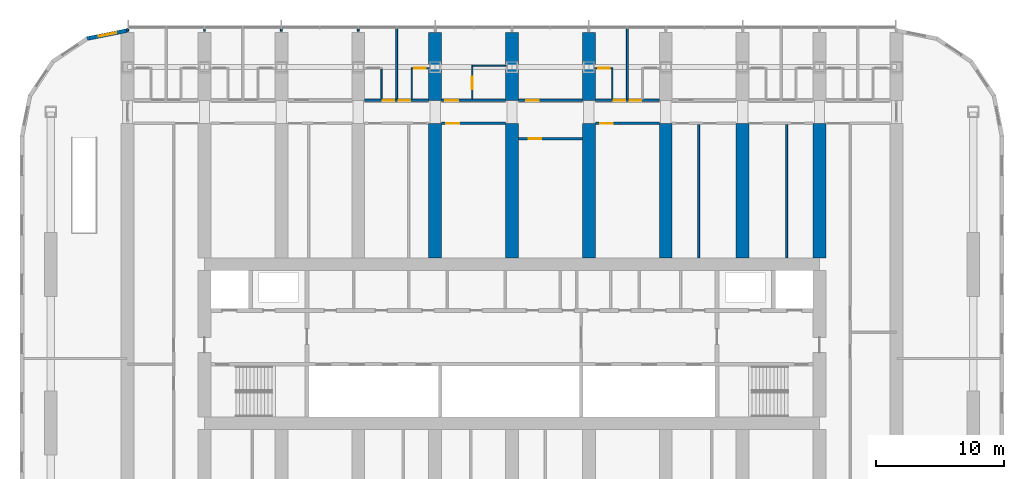
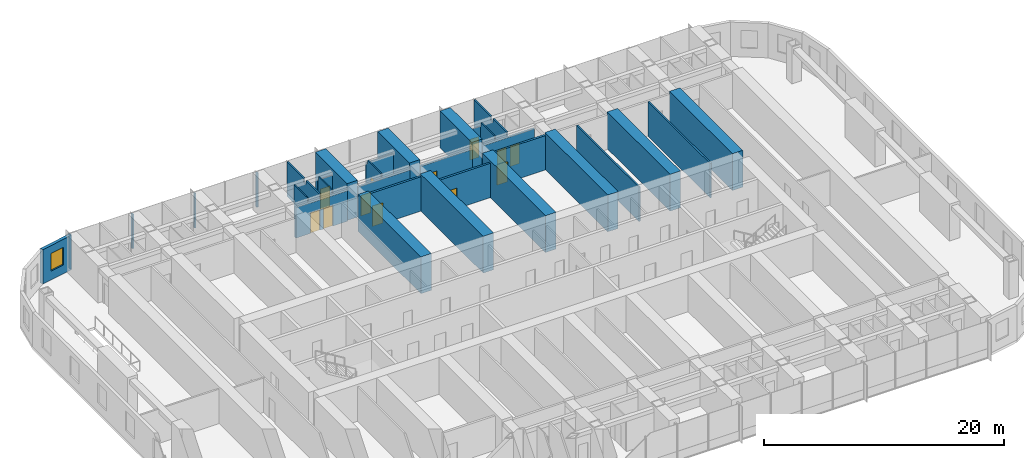
# One storey, part 16 of 24: 32 walls, 12 doors, 1 window, 13 openings.
"""IFC4 building model written with IfcOpenShell, lengths in metres."""

from ifc_helpers import new_model, si_unit, direction, frame, frame_2d, origin, place, context, subcontext, project, spatial, polyline, rectangle, outline, extrude, material, layer, layer_set, type_object, element, fill, save


model = new_model("IFC4")

# Units and contexts
model_context = context("Model", 3, precision=1e-05, world=origin(), true_north=direction((0.0, 1.0)))
body_context = subcontext(model_context, "Body", "Model", "MODEL_VIEW")
ifc_project = project(units=[si_unit("LENGTHUNIT", "METRE"), si_unit("AREAUNIT", "SQUARE_METRE"), si_unit("VOLUMEUNIT", "CUBIC_METRE"), si_unit("PLANEANGLEUNIT", "RADIAN"), si_unit("MASSUNIT", "GRAM", prefix="KILO")], contexts=[model_context])

# Site, building, storey
site_placement = place(None, origin())
site = spatial("IfcSite", under=ifc_project, at=site_placement, CompositionType="ELEMENT")
building_placement = place(site_placement, origin())
building = spatial("IfcBuilding", under=site, at=building_placement, Name="Orbita Commons", CompositionType="ELEMENT")
storey_placement = place(building_placement, frame((0.0, 0.0, 27.699951171875)))
storey = spatial("IfcBuildingStorey", under=building, at=storey_placement, Name="L06", CompositionType="ELEMENT", Elevation=27.699951171875)

# Wall, openings, doors
ifc_material_1 = material(Name="Concrete blockwork", Category="masonry")
ifc_layer_1 = layer(ifc_material_1, 0.199951171875)
ifc_layer_set_1 = layer_set([ifc_layer_1], Name="Concrete blockwork")
wall_type_1 = type_object("IfcWallType", Name="Corridor wall 200 blockwork", PredefinedType="SOLIDWALL", material=ifc_layer_set_1)
wall_1_placement = place(storey_placement, frame((30.5, 51.0, 0.0), z_axis=(0.0, 0.0, 1.0), x_axis=(1.0, 0.0, 0.0)))
wall_1 = element("IfcWall", 1, at=wall_1_placement, inside=storey, type_object=wall_type_1, Name="Corridor wall 200 blockwork L06", PredefinedType="SOLIDWALL", context=body_context, shape_type="SweptSolid", body=[
    extrude(outline(polyline([(0.0, 0.0), (5.0, 0.0), (5.0, 3.10009765625), (0.0, 3.10009765625), (0.0, 0.0)])), frame((0.0, 0.10009765625, 0.0), z_axis=(0.0, -1.0, 0.0), x_axis=(1.0, 0.0, 0.0)), (0.0, 0.0, 1.0), 0.199951171875),
])
opening_1_placement = place(wall_1_placement, frame((1.425048828125, 0.0, 0.0)))
opening_1 = element("IfcOpeningElement", 2, at=opening_1_placement, cuts=wall_1, Name="Opening D11", PredefinedType="OPENING", context=body_context, shape_type="SweptSolid", body=[
    extrude(rectangle(XDim=0.89990234375, YDim=2.10009765625, at=frame_2d((0.449951171875, 1.050048828125))), frame((0.0, 0.10986328125, 0.0), z_axis=(0.0, -1.0, 0.0), x_axis=(1.0, 0.0, 0.0)), (0.0, 0.0, 1.0), 0.219970703125),
])
opening_2_placement = place(wall_1_placement, frame((2.675048828125, 0.0, 0.0)))
opening_2 = element("IfcOpeningElement", 3, at=opening_2_placement, cuts=wall_1, Name="Opening D11", PredefinedType="OPENING", context=body_context, shape_type="SweptSolid", body=[
    extrude(rectangle(XDim=0.89990234375, YDim=2.10009765625, at=frame_2d((0.449951171875, 1.050048828125))), frame((0.0, 0.10986328125, 0.0), z_axis=(0.0, -1.0, 0.0), x_axis=(1.0, 0.0, 0.0)), (0.0, 0.0, 1.0), 0.219970703125),
])
ifc_material_2 = material(Name="Steel-faced fire door leaf", Category="steel")
door_type_1 = type_object("IfcDoorType", Name="Corridor door 20 min 900x2100", OperationType="SINGLE_SWING_LEFT", PredefinedType="DOOR", material=ifc_material_2)
door_1_placement = place(opening_1_placement, origin())
door_1 = element("IfcDoor", 4, at=door_1_placement, inside=storey, type_object=door_type_1, Name="House bedroom L06-N06 door", OperationType="SINGLE_SWING_LEFT", OverallHeight=2.10009765625, OverallWidth=0.89990234375, PredefinedType="DOOR", context=body_context, shape_type="SweptSolid", body=[
    extrude(rectangle(XDim=0.89990234375, YDim=2.10009765625, at=frame_2d((0.449951171875, 1.050048828125))), frame((0.0, 0.02490234375, 0.0), z_axis=(0.0, -1.0, 0.0), x_axis=(1.0, 0.0, 0.0)), (0.0, 0.0, 1.0), 0.050048828125),
])
fill(opening_1, door_1)
door_2_placement = place(opening_2_placement, origin())
door_2 = element("IfcDoor", 5, at=door_2_placement, inside=storey, type_object=door_type_1, Name="House bedroom L06-N07 door", OperationType="SINGLE_SWING_LEFT", OverallHeight=2.10009765625, OverallWidth=0.89990234375, PredefinedType="DOOR", context=body_context, shape_type="SweptSolid", body=[
    extrude(rectangle(XDim=0.89990234375, YDim=2.10009765625, at=frame_2d((0.449951171875, 1.050048828125))), frame((0.0, 0.02490234375, 0.0), z_axis=(0.0, -1.0, 0.0), x_axis=(1.0, 0.0, 0.0)), (0.0, 0.0, 1.0), 0.050048828125),
])
fill(opening_2, door_2)

# Wall, opening, door
wall_2_placement = place(storey_placement, frame((36.5, 51.0, 0.0), z_axis=(0.0, 0.0, 1.0), x_axis=(1.0, 0.0, 0.0)))
wall_2 = element("IfcWall", 6, at=wall_2_placement, inside=storey, type_object=wall_type_1, Name="Corridor wall 200 blockwork L06", PredefinedType="SOLIDWALL", context=body_context, shape_type="SweptSolid", body=[
    extrude(outline(polyline([(0.0, 0.0), (5.0, 0.0), (5.0, 3.10009765625), (0.0, 3.10009765625), (0.0, 0.0)])), frame((0.0, 0.10009765625, 0.0), z_axis=(0.0, -1.0, 0.0), x_axis=(1.0, 0.0, 0.0)), (0.0, 0.0, 1.0), 0.199951171875),
])
opening_3_placement = place(wall_2_placement, frame((0.300048828125, 0.0, 0.0)))
opening_3 = element("IfcOpeningElement", 7, at=opening_3_placement, cuts=wall_2, Name="Opening D06", PredefinedType="OPENING", context=body_context, shape_type="SweptSolid", body=[
    extrude(rectangle(XDim=1.0, YDim=2.10009765625, at=frame_2d((0.5, 1.050048828125))), frame((0.0, 0.10986328125, 0.0), z_axis=(0.0, -1.0, 0.0), x_axis=(1.0, 0.0, 0.0)), (0.0, 0.0, 1.0), 0.219970703125),
])
ifc_material_3 = material(Name="Steel-faced fire door leaf", Category="steel")
door_type_2 = type_object("IfcDoorType", Name="Corridor door 20 min 1000x2100", OperationType="SINGLE_SWING_LEFT", PredefinedType="DOOR", material=ifc_material_3)
door_3_placement = place(opening_3_placement, origin())
door_3 = element("IfcDoor", 8, at=door_3_placement, inside=storey, type_object=door_type_2, Name="Accessible bedroom L06-N08 door", OperationType="SINGLE_SWING_LEFT", OverallHeight=2.10009765625, OverallWidth=1.0, PredefinedType="DOOR", context=body_context, shape_type="SweptSolid", body=[
    extrude(rectangle(XDim=1.0, YDim=2.10009765625, at=frame_2d((0.5, 1.050048828125))), frame((0.0, 0.02490234375, 0.0), z_axis=(0.0, -1.0, 0.0), x_axis=(1.0, 0.0, 0.0)), (0.0, 0.0, 1.0), 0.050048828125),
])
fill(opening_3, door_3)

wall_3_placement = place(storey_placement, frame((42.5, 51.0, 0.0), z_axis=(0.0, 0.0, 1.0), x_axis=(1.0, 0.0, 0.0)))
wall_3 = element("IfcWall", 9, at=wall_3_placement, inside=storey, type_object=wall_type_1, Name="Corridor wall 200 blockwork L06", PredefinedType="SOLIDWALL", context=body_context, shape_type="SweptSolid", body=[
    extrude(outline(polyline([(0.0, 0.0), (5.0, 0.0), (5.0, 3.10009765625), (0.0, 3.10009765625), (0.0, 0.0)])), frame((0.0, 0.10009765625, 0.0), z_axis=(0.0, -1.0, 0.0), x_axis=(1.0, 0.0, 0.0)), (0.0, 0.0, 1.0), 0.199951171875),
])
opening_4_placement = place(wall_3_placement, frame((0.60009765625, 0.0, 0.0)))
opening_4 = element("IfcOpeningElement", 10, at=opening_4_placement, cuts=wall_3, Name="Opening D06", PredefinedType="OPENING", context=body_context, shape_type="SweptSolid", body=[
    extrude(rectangle(XDim=1.0, YDim=2.10009765625, at=frame_2d((0.5, 1.050048828125))), frame((0.0, 0.10986328125, 0.0), z_axis=(0.0, -1.0, 0.0), x_axis=(1.0, 0.0, 0.0)), (0.0, 0.0, 1.0), 0.219970703125),
])
door_4_placement = place(opening_4_placement, origin())
door_4 = element("IfcDoor", 11, at=door_4_placement, inside=storey, type_object=door_type_2, Name="House kitchen-diner L06-N10 door", OperationType="SINGLE_SWING_LEFT", OverallHeight=2.10009765625, OverallWidth=1.0, PredefinedType="DOOR", context=body_context, shape_type="SweptSolid", body=[
    extrude(rectangle(XDim=1.0, YDim=2.10009765625, at=frame_2d((0.5, 1.050048828125))), frame((0.0, 0.02490234375, 0.0), z_axis=(0.0, -1.0, 0.0), x_axis=(1.0, 0.0, 0.0)), (0.0, 0.0, 1.0), 0.050048828125),
])
fill(opening_4, door_4)

# Wall, openings, doors
wall_4_placement = place(storey_placement, frame((48.5, 51.0, 0.0), z_axis=(0.0, 0.0, 1.0), x_axis=(1.0, 0.0, 0.0)))
wall_4 = element("IfcWall", 12, at=wall_4_placement, inside=storey, type_object=wall_type_1, Name="Corridor wall 200 blockwork L06", PredefinedType="SOLIDWALL", context=body_context, shape_type="SweptSolid", body=[
    extrude(outline(polyline([(0.0, 0.0), (5.0, 0.0), (5.0, 3.10009765625), (0.0, 3.10009765625), (0.0, 0.0)])), frame((0.0, 0.10009765625, 0.0), z_axis=(0.0, -1.0, 0.0), x_axis=(1.0, 0.0, 0.0)), (0.0, 0.0, 1.0), 0.199951171875),
])
opening_5_placement = place(wall_4_placement, frame((1.425048828125, 0.0, 0.0)))
opening_5 = element("IfcOpeningElement", 13, at=opening_5_placement, cuts=wall_4, Name="Opening D11", PredefinedType="OPENING", context=body_context, shape_type="SweptSolid", body=[
    extrude(rectangle(XDim=0.89990234375, YDim=2.10009765625, at=frame_2d((0.449951171875, 1.050048828125))), frame((0.0, 0.10986328125, 0.0), z_axis=(0.0, -1.0, 0.0), x_axis=(1.0, 0.0, 0.0)), (0.0, 0.0, 1.0), 0.219970703125),
])
opening_6_placement = place(wall_4_placement, frame((2.675048828125, 0.0, 0.0)))
opening_6 = element("IfcOpeningElement", 14, at=opening_6_placement, cuts=wall_4, Name="Opening D11", PredefinedType="OPENING", context=body_context, shape_type="SweptSolid", body=[
    extrude(rectangle(XDim=0.89990234375, YDim=2.10009765625, at=frame_2d((0.449951171875, 1.050048828125))), frame((0.0, 0.10986328125, 0.0), z_axis=(0.0, -1.0, 0.0), x_axis=(1.0, 0.0, 0.0)), (0.0, 0.0, 1.0), 0.219970703125),
])
door_5_placement = place(opening_5_placement, origin())
door_5 = element("IfcDoor", 15, at=door_5_placement, inside=storey, type_object=door_type_1, Name="House bedroom L06-N12 door", OperationType="SINGLE_SWING_LEFT", OverallHeight=2.10009765625, OverallWidth=0.89990234375, PredefinedType="DOOR", context=body_context, shape_type="SweptSolid", body=[
    extrude(rectangle(XDim=0.89990234375, YDim=2.10009765625, at=frame_2d((0.449951171875, 1.050048828125))), frame((0.0, 0.02490234375, 0.0), z_axis=(0.0, -1.0, 0.0), x_axis=(1.0, 0.0, 0.0)), (0.0, 0.0, 1.0), 0.050048828125),
])
fill(opening_5, door_5)
door_6_placement = place(opening_6_placement, origin())
door_6 = element("IfcDoor", 16, at=door_6_placement, inside=storey, type_object=door_type_1, Name="House bedroom L06-N13 door", OperationType="SINGLE_SWING_LEFT", OverallHeight=2.10009765625, OverallWidth=0.89990234375, PredefinedType="DOOR", context=body_context, shape_type="SweptSolid", body=[
    extrude(rectangle(XDim=0.89990234375, YDim=2.10009765625, at=frame_2d((0.449951171875, 1.050048828125))), frame((0.0, 0.02490234375, 0.0), z_axis=(0.0, -1.0, 0.0), x_axis=(1.0, 0.0, 0.0)), (0.0, 0.0, 1.0), 0.050048828125),
])
fill(opening_6, door_6)

# Wall, opening, door
ifc_material_4 = material(Name="Hollow concrete block 200", Category="concrete")
ifc_layer_2 = layer(ifc_material_4, 0.199951171875)
ifc_layer_set_2 = layer_set([ifc_layer_2], Name="Hollow concrete block 200")
wall_type_2 = type_object("IfcWallType", Name="Corridor wall 200 hollow concrete block", PredefinedType="SOLIDWALL", material=ifc_layer_set_2)
wall_5_placement = place(storey_placement, frame((36.5, 49.199951171875, 0.0), z_axis=(0.0, 0.0, 1.0), x_axis=(1.0, 0.0, 0.0)))
wall_5 = element("IfcWall", 17, at=wall_5_placement, inside=storey, type_object=wall_type_2, Name="Corridor wall 200 hollow concrete block L06", PredefinedType="SOLIDWALL", context=body_context, shape_type="SweptSolid", body=[
    extrude(rectangle(XDim=5.0, YDim=0.199951171875, at=frame_2d((2.5, 0.0))), origin(), (0.0, 0.0, 1.0), 3.5),
])
opening_7_placement = place(wall_5_placement, frame((0.375, 0.0, 0.0)))
opening_7 = element("IfcOpeningElement", 18, at=opening_7_placement, cuts=wall_5, Name="Opening D06", PredefinedType="OPENING", context=body_context, shape_type="SweptSolid", body=[
    extrude(rectangle(XDim=1.0, YDim=2.10009765625, at=frame_2d((0.5, 1.050048828125))), frame((0.0, 0.10986328125, 0.0), z_axis=(0.0, -1.0, 0.0), x_axis=(1.0, 0.0, 0.0)), (0.0, 0.0, 1.0), 0.219970703125),
])
door_7_placement = place(opening_7_placement, origin())
door_7 = element("IfcDoor", 19, at=door_7_placement, inside=storey, type_object=door_type_2, Name="Refuse and recycling room L06-BDN36 door", OperationType="SINGLE_SWING_LEFT", OverallHeight=2.10009765625, OverallWidth=1.0, PredefinedType="DOOR", context=body_context, shape_type="SweptSolid", body=[
    extrude(rectangle(XDim=1.0, YDim=2.10009765625, at=frame_2d((0.5, 1.050048828125))), frame((0.0, 0.02490234375, 0.0), z_axis=(0.0, -1.0, 0.0), x_axis=(1.0, 0.0, 0.0)), (0.0, 0.0, 1.0), 0.050048828125),
])
fill(opening_7, door_7)

wall_6_placement = place(storey_placement, frame((48.5, 49.199951171875, 0.0), z_axis=(0.0, 0.0, 1.0), x_axis=(1.0, 0.0, 0.0)))
wall_6 = element("IfcWall", 20, at=wall_6_placement, inside=storey, type_object=wall_type_2, Name="Corridor wall 200 hollow concrete block L06", PredefinedType="SOLIDWALL", context=body_context, shape_type="SweptSolid", body=[
    extrude(rectangle(XDim=5.0, YDim=0.199951171875, at=frame_2d((2.5, 0.0))), origin(), (0.0, 0.0, 1.0), 3.5),
])
opening_8_placement = place(wall_6_placement, frame((0.375, 0.0, 0.0)))
opening_8 = element("IfcOpeningElement", 21, at=opening_8_placement, cuts=wall_6, Name="Opening D06", PredefinedType="OPENING", context=body_context, shape_type="SweptSolid", body=[
    extrude(rectangle(XDim=1.0, YDim=2.10009765625, at=frame_2d((0.5, 1.050048828125))), frame((0.0, 0.10986328125, 0.0), z_axis=(0.0, -1.0, 0.0), x_axis=(1.0, 0.0, 0.0)), (0.0, 0.0, 1.0), 0.219970703125),
])
door_8_placement = place(opening_8_placement, origin())
door_8 = element("IfcDoor", 22, at=door_8_placement, inside=storey, type_object=door_type_2, Name="Store L06-BDN48 door", OperationType="SINGLE_SWING_LEFT", OverallHeight=2.10009765625, OverallWidth=1.0, PredefinedType="DOOR", context=body_context, shape_type="SweptSolid", body=[
    extrude(rectangle(XDim=1.0, YDim=2.10009765625, at=frame_2d((0.5, 1.050048828125))), frame((0.0, 0.02490234375, 0.0), z_axis=(0.0, -1.0, 0.0), x_axis=(1.0, 0.0, 0.0)), (0.0, 0.0, 1.0), 0.050048828125),
])
fill(opening_8, door_8)

wall_7_placement = place(storey_placement, frame((42.5, 48.0, 0.0), z_axis=(0.0, 0.0, 1.0), x_axis=(1.0, 0.0, 0.0)))
wall_7 = element("IfcWall", 23, at=wall_7_placement, inside=storey, type_object=wall_type_2, Name="Corridor wall 200 hollow concrete block L06", PredefinedType="SOLIDWALL", context=body_context, shape_type="SweptSolid", body=[
    extrude(rectangle(XDim=5.0, YDim=0.199951171875, at=frame_2d((2.5, 0.0))), origin(), (0.0, 0.0, 1.0), 3.5),
])
opening_9_placement = place(wall_7_placement, frame((0.800048828125, 0.0, 0.0)))
opening_9 = element("IfcOpeningElement", 24, at=opening_9_placement, cuts=wall_7, Name="Opening D06", PredefinedType="OPENING", context=body_context, shape_type="SweptSolid", body=[
    extrude(rectangle(XDim=1.0, YDim=2.10009765625, at=frame_2d((0.5, 1.050048828125))), frame((0.0, 0.10986328125, 0.0), z_axis=(0.0, -1.0, 0.0), x_axis=(1.0, 0.0, 0.0)), (0.0, 0.0, 1.0), 0.219970703125),
])
door_9_placement = place(opening_9_placement, origin())
door_9 = element("IfcDoor", 25, at=door_9_placement, inside=storey, type_object=door_type_2, Name="Drying room L06-BDN42 door", OperationType="SINGLE_SWING_LEFT", OverallHeight=2.10009765625, OverallWidth=1.0, PredefinedType="DOOR", context=body_context, shape_type="SweptSolid", body=[
    extrude(rectangle(XDim=1.0, YDim=2.10009765625, at=frame_2d((0.5, 1.050048828125))), frame((0.0, 0.02490234375, 0.0), z_axis=(0.0, -1.0, 0.0), x_axis=(1.0, 0.0, 0.0)), (0.0, 0.0, 1.0), 0.050048828125),
])
fill(opening_9, door_9)

# Walls
ifc_material_5 = material(Name="Concrete C50/60", Category="concrete")
ifc_layer_3 = layer(ifc_material_5, 1.0)
ifc_layer_set_3 = layer_set([ifc_layer_3], Name="Concrete C50/60")
wall_type_3 = type_object("IfcWallType", Name="Cross wall 1000 C50/60", PredefinedType="SHEAR", material=ifc_layer_set_3)
wall_8_placement = place(storey_placement, frame((36.0, 51.0, 0.0), z_axis=(0.0, 0.0, 1.0), x_axis=(0.0, 1.0, 0.0)))
element("IfcWall", 26, at=wall_8_placement, inside=storey, type_object=wall_type_3, Name="Cross wall 7 north outer L06", PredefinedType="SHEAR", context=body_context, shape_type="SweptSolid", body=[
    extrude(rectangle(XDim=5.300048828125, YDim=1.0, at=frame_2d((2.64990234375, 0.0))), origin(), (0.0, 0.0, 1.0), 3.75),
])
wall_9_placement = place(storey_placement, frame((36.0, 38.699951171875, 0.0), z_axis=(0.0, 0.0, 1.0), x_axis=(0.0, 1.0, 0.0)))
element("IfcWall", 27, at=wall_9_placement, inside=storey, type_object=wall_type_3, Name="Cross wall 7 north inner L06", PredefinedType="SHEAR", context=body_context, shape_type="SweptSolid", body=[
    extrude(rectangle(XDim=10.5, YDim=1.0, at=frame_2d((5.25, 0.0))), origin(), (0.0, 0.0, 1.0), 3.75),
])
wall_10_placement = place(storey_placement, frame((42.0, 51.0, 0.0), z_axis=(0.0, 0.0, 1.0), x_axis=(0.0, 1.0, 0.0)))
element("IfcWall", 28, at=wall_10_placement, inside=storey, type_object=wall_type_3, Name="Cross wall 8 north outer L06", PredefinedType="SHEAR", context=body_context, shape_type="SweptSolid", body=[
    extrude(rectangle(XDim=5.300048828125, YDim=1.0, at=frame_2d((2.64990234375, 0.0))), origin(), (0.0, 0.0, 1.0), 3.75),
])
wall_11_placement = place(storey_placement, frame((42.0, 38.699951171875, 0.0), z_axis=(0.0, 0.0, 1.0), x_axis=(0.0, 1.0, 0.0)))
element("IfcWall", 29, at=wall_11_placement, inside=storey, type_object=wall_type_3, Name="Cross wall 8 north inner L06", PredefinedType="SHEAR", context=body_context, shape_type="SweptSolid", body=[
    extrude(rectangle(XDim=10.5, YDim=1.0, at=frame_2d((5.25, 0.0))), origin(), (0.0, 0.0, 1.0), 3.75),
])
wall_12_placement = place(storey_placement, frame((48.0, 51.0, 0.0), z_axis=(0.0, 0.0, 1.0), x_axis=(0.0, 1.0, 0.0)))
element("IfcWall", 30, at=wall_12_placement, inside=storey, type_object=wall_type_3, Name="Cross wall 9 north outer L06", PredefinedType="SHEAR", context=body_context, shape_type="SweptSolid", body=[
    extrude(rectangle(XDim=5.300048828125, YDim=1.0, at=frame_2d((2.64990234375, 0.0))), origin(), (0.0, 0.0, 1.0), 3.75),
])
for number, where, z_axis, x_axis, name in (
    (31, (48.0, 38.699951171875, 0.0), (0.0, 0.0, 1.0), (0.0, 1.0, 0.0), "Cross wall 9 north inner L06"),
    (32, (54.0, 38.699951171875, 0.0), (0.0, 0.0, 1.0), (0.0, 1.0, 0.0), "Cross wall 10 north inner L06"),
    (33, (60.0, 38.699951171875, 0.0), (0.0, 0.0, 1.0), (0.0, 1.0, 0.0), "Cross wall 11 north inner L06"),
    (34, (66.0, 38.699951171875, 0.0), (0.0, 0.0, 1.0), (0.0, 1.0, 0.0), "Cross wall 12 north inner L06"),
):
    element("IfcWall", number, at=place(storey_placement, frame(where, z_axis=z_axis, x_axis=x_axis)), inside=storey, type_object=wall_type_3, Name=name, PredefinedType="SHEAR", context=body_context, shape_type="SweptSolid", body=[
        extrude(rectangle(XDim=10.5, YDim=1.0, at=frame_2d((5.25, 0.0))), origin(), (0.0, 0.0, 1.0), 3.75),
    ])
ifc_material_6 = material(Name="Moisture-resistant plasterboard on steel studs", Category="steel")
ifc_layer_4 = layer(ifc_material_6, 0.10009765625)
ifc_layer_set_4 = layer_set([ifc_layer_4], Name="Moisture-resistant plasterboard on steel studs")
wall_type_4 = type_object("IfcWallType", Name="En-suite partition 100", PredefinedType="PARTITIONING", material=ifc_layer_set_4)
wall_13_placement = place(storey_placement, frame((31.824951171875, 53.449951171875, 0.0), z_axis=(0.0, 0.0, 1.0), x_axis=(0.0, -1.0, 0.0)))
element("IfcWall", 35, at=wall_13_placement, inside=storey, type_object=wall_type_4, Name="En-suite partition 100 L06", PredefinedType="PARTITIONING", context=body_context, shape_type="SweptSolid", body=[
    extrude(outline(polyline([(0.0, 0.0), (2.349853515625, 0.0), (2.35009765625, 3.10009765625), (2.302001953125, 3.10009765625), (2.300048828125, 3.5), (0.052001953125, 3.5), (0.050048828125, 3.10009765625), (0.0, 3.10009765625), (0.0, 0.0)])), frame((0.0, 0.050048828125, 0.0), z_axis=(0.0, -1.0, 0.0), x_axis=(1.0, 0.0, 0.0)), (0.0, 0.0, 1.0), 0.10009765625),
])

# Wall, opening, door
wall_14_placement = place(storey_placement, frame((34.125, 53.5, 0.0), z_axis=(0.0, 0.0, 1.0), x_axis=(1.0, 0.0, 0.0)))
wall_14 = element("IfcWall", 36, at=wall_14_placement, inside=storey, type_object=wall_type_4, Name="En-suite partition 100 L06", PredefinedType="PARTITIONING", context=body_context, shape_type="SweptSolid", body=[
    extrude(outline(polyline([(0.0, 0.0), (1.425048828125, 0.0), (1.425048828125, 3.10009765625), (0.0, 3.10009765625), (0.0, 0.0)])), frame((0.0, 0.050048828125, 0.0), z_axis=(0.0, -1.0, 0.0), x_axis=(1.0, 0.0, 0.0)), (0.0, 0.0, 1.0), 0.10009765625),
])
opening_10_placement = place(wall_14_placement, frame((0.237548828125, 0.0, 0.0)))
opening_10 = element("IfcOpeningElement", 37, at=opening_10_placement, cuts=wall_14, Name="Opening D09", PredefinedType="OPENING", context=body_context, shape_type="SweptSolid", body=[
    extrude(rectangle(XDim=0.89990234375, YDim=2.10009765625, at=frame_2d((0.449951171875, 1.050048828125))), frame((0.0, 0.06005859375, 0.0), z_axis=(0.0, -1.0, 0.0), x_axis=(1.0, 0.0, 0.0)), (0.0, 0.0, 1.0), 0.1201171875),
])
ifc_material_7 = material(Name="Laminated timber door leaf", Category="wood")
door_type_3 = type_object("IfcDoorType", Name="En-suite door 900x2100", OperationType="SINGLE_SWING_RIGHT", PredefinedType="DOOR", material=ifc_material_7)
door_10_placement = place(opening_10_placement, origin())
door_10 = element("IfcDoor", 38, at=door_10_placement, inside=storey, type_object=door_type_3, Name="En-suite L06-N07 door", OperationType="SINGLE_SWING_RIGHT", OverallHeight=2.10009765625, OverallWidth=0.89990234375, PredefinedType="DOOR", context=body_context, shape_type="SweptSolid", body=[
    extrude(rectangle(XDim=0.89990234375, YDim=2.10009765625, at=frame_2d((0.449951171875, 1.050048828125))), frame((0.0, 0.02490234375, 0.0), z_axis=(0.0, -1.0, 0.0), x_axis=(1.0, 0.0, 0.0)), (0.0, 0.0, 1.0), 0.050048828125),
])
fill(opening_10, door_10)

# Walls
wall_15_placement = place(storey_placement, frame((34.175048828125, 53.449951171875, 0.0), z_axis=(0.0, 0.0, 1.0), x_axis=(0.0, -1.0, 0.0)))
element("IfcWall", 39, at=wall_15_placement, inside=storey, type_object=wall_type_4, Name="En-suite partition 100 L06", PredefinedType="PARTITIONING", context=body_context, shape_type="SweptSolid", body=[
    extrude(outline(polyline([(0.0, 0.0), (2.349853515625, 0.0), (2.35009765625, 3.10009765625), (2.302001953125, 3.10009765625), (2.300048828125, 3.5), (0.052001953125, 3.5), (0.050048828125, 3.10009765625), (0.0, 3.10009765625), (0.0, 0.0)])), frame((0.0, 0.050048828125, 0.0), z_axis=(0.0, -1.0, 0.0), x_axis=(1.0, 0.0, 0.0)), (0.0, 0.0, 1.0), 0.10009765625),
])
wall_16_placement = place(storey_placement, frame((38.85009765625, 53.699951171875, 0.0), z_axis=(0.0, 0.0, 1.0), x_axis=(1.0, 0.0, 0.0)))
element("IfcWall", 40, at=wall_16_placement, inside=storey, type_object=wall_type_4, Name="En-suite partition 100 L06", PredefinedType="PARTITIONING", context=body_context, shape_type="SweptSolid", body=[
    extrude(outline(polyline([(0.0, 0.0), (2.699951171875, 0.0), (2.699951171875, 3.10009765625), (0.0, 3.10009765625), (0.0, 0.0)])), frame((0.0, 0.050048828125, 0.0), z_axis=(0.0, -1.0, 0.0), x_axis=(1.0, 0.0, 0.0)), (0.0, 0.0, 1.0), 0.10009765625),
])

# Wall, opening, door
wall_17_placement = place(storey_placement, frame((38.89990234375, 53.64990234375, 0.0), z_axis=(0.0, 0.0, 1.0), x_axis=(0.0, -1.0, 0.0)))
wall_17 = element("IfcWall", 41, at=wall_17_placement, inside=storey, type_object=wall_type_4, Name="En-suite partition 100 L06", PredefinedType="PARTITIONING", context=body_context, shape_type="SweptSolid", body=[
    extrude(outline(polyline([(0.0, 0.0), (2.5498046875, 0.0), (2.550048828125, 3.10009765625), (2.501953125, 3.10009765625), (2.5, 3.5), (0.251953125, 3.5), (0.25, 3.10009765625), (0.0, 3.10009765625), (0.0, 0.0)])), frame((0.0, 0.050048828125, 0.0), z_axis=(0.0, -1.0, 0.0), x_axis=(1.0, 0.0, 0.0)), (0.0, 0.0, 1.0), 0.10009765625),
])
opening_11_placement = place(wall_17_placement, frame((0.800048828125, 0.0, 0.0)))
opening_11 = element("IfcOpeningElement", 42, at=opening_11_placement, cuts=wall_17, Name="Opening D13", PredefinedType="OPENING", context=body_context, shape_type="SweptSolid", body=[
    extrude(rectangle(XDim=1.0, YDim=2.10009765625, at=frame_2d((0.5, 1.050048828125))), frame((0.0, 0.06005859375, 0.0), z_axis=(0.0, -1.0, 0.0), x_axis=(1.0, 0.0, 0.0)), (0.0, 0.0, 1.0), 0.1201171875),
])
ifc_material_8 = material(Name="Laminated timber door leaf", Category="wood")
door_type_4 = type_object("IfcDoorType", Name="En-suite door 1000x2100", OperationType="SINGLE_SWING_RIGHT", PredefinedType="DOOR", material=ifc_material_8)
door_11_placement = place(opening_11_placement, origin())
door_11 = element("IfcDoor", 43, at=door_11_placement, inside=storey, type_object=door_type_4, Name="Accessible shower room L06-N08 door", OperationType="SINGLE_SWING_RIGHT", OverallHeight=2.10009765625, OverallWidth=1.0, PredefinedType="DOOR", context=body_context, shape_type="SweptSolid", body=[
    extrude(rectangle(XDim=1.0, YDim=2.10009765625, at=frame_2d((0.5, 1.050048828125))), frame((0.0, 0.02490234375, 0.0), z_axis=(0.0, -1.0, 0.0), x_axis=(1.0, 0.0, 0.0)), (0.0, 0.0, 1.0), 0.050048828125),
])
fill(opening_11, door_11)

wall_18_placement = place(storey_placement, frame((48.449951171875, 53.5, 0.0), z_axis=(0.0, 0.0, 1.0), x_axis=(1.0, 0.0, 0.0)))
wall_18 = element("IfcWall", 44, at=wall_18_placement, inside=storey, type_object=wall_type_4, Name="En-suite partition 100 L06", PredefinedType="PARTITIONING", context=body_context, shape_type="SweptSolid", body=[
    extrude(outline(polyline([(0.0, 0.0), (1.425048828125, 0.0), (1.425048828125, 3.10009765625), (0.0, 3.10009765625), (0.0, 0.0)])), frame((0.0, 0.050048828125, 0.0), z_axis=(0.0, -1.0, 0.0), x_axis=(1.0, 0.0, 0.0)), (0.0, 0.0, 1.0), 0.10009765625),
])
opening_12_placement = place(wall_18_placement, frame((0.28759765625, 0.0, 0.0)))
opening_12 = element("IfcOpeningElement", 45, at=opening_12_placement, cuts=wall_18, Name="Opening D09", PredefinedType="OPENING", context=body_context, shape_type="SweptSolid", body=[
    extrude(rectangle(XDim=0.89990234375, YDim=2.10009765625, at=frame_2d((0.449951171875, 1.050048828125))), frame((0.0, 0.06005859375, 0.0), z_axis=(0.0, -1.0, 0.0), x_axis=(1.0, 0.0, 0.0)), (0.0, 0.0, 1.0), 0.1201171875),
])
door_12_placement = place(opening_12_placement, origin())
door_12 = element("IfcDoor", 46, at=door_12_placement, inside=storey, type_object=door_type_3, Name="En-suite L06-N12 door", OperationType="SINGLE_SWING_RIGHT", OverallHeight=2.10009765625, OverallWidth=0.89990234375, PredefinedType="DOOR", context=body_context, shape_type="SweptSolid", body=[
    extrude(rectangle(XDim=0.89990234375, YDim=2.10009765625, at=frame_2d((0.449951171875, 1.050048828125))), frame((0.0, 0.02490234375, 0.0), z_axis=(0.0, -1.0, 0.0), x_axis=(1.0, 0.0, 0.0)), (0.0, 0.0, 1.0), 0.050048828125),
])
fill(opening_12, door_12)

# Walls
wall_19_placement = place(storey_placement, frame((49.824951171875, 53.449951171875, 0.0), z_axis=(0.0, 0.0, 1.0), x_axis=(0.0, -1.0, 0.0)))
element("IfcWall", 47, at=wall_19_placement, inside=storey, type_object=wall_type_4, Name="En-suite partition 100 L06", PredefinedType="PARTITIONING", context=body_context, shape_type="SweptSolid", body=[
    extrude(outline(polyline([(0.0, 0.0), (2.349853515625, 0.0), (2.35009765625, 3.10009765625), (2.302001953125, 3.10009765625), (2.300048828125, 3.5), (0.052001953125, 3.5), (0.050048828125, 3.10009765625), (0.0, 3.10009765625), (0.0, 0.0)])), frame((0.0, 0.050048828125, 0.0), z_axis=(0.0, -1.0, 0.0), x_axis=(1.0, 0.0, 0.0)), (0.0, 0.0, 1.0), 0.10009765625),
])
ifc_material_9 = material(Name="Gypsum plasterboard on steel studs", Category="steel")
ifc_layer_5 = layer(ifc_material_9, 0.14990234375)
ifc_layer_set_5 = layer_set([ifc_layer_5], Name="Gypsum plasterboard on steel studs")
wall_type_5 = type_object("IfcWallType", Name="Partition 150 plasterboard", PredefinedType="PARTITIONING", material=ifc_layer_set_5)
for number, where, z_axis, x_axis, name in (
    (48, (56.56005859375, 38.699951171875, 0.0), (0.0, 0.0, 1.0), (0.0, 1.0, 0.0), "Partition 150 plasterboard L06"),
    (49, (63.429931640625, 38.699951171875, 0.0), (0.0, 0.0, 1.0), (0.0, 1.0, 0.0), "Partition 150 plasterboard L06"),
):
    element("IfcWall", number, at=place(storey_placement, frame(where, z_axis=z_axis, x_axis=x_axis)), inside=storey, type_object=wall_type_5, Name=name, PredefinedType="PARTITIONING", context=body_context, shape_type="SweptSolid", body=[
        extrude(rectangle(XDim=10.400146484375, YDim=0.14990234375, at=frame_2d((5.2001953125, 0.0))), origin(), (0.0, 0.0, 1.0), 3.5),
    ])
wall_20_placement = place(storey_placement, frame((12.0, 56.39990234375, 0.0), z_axis=(0.0, 0.0, 1.0), x_axis=(0.0, 1.0, 0.0)))
element("IfcWall", 50, at=wall_20_placement, inside=storey, type_object=wall_type_5, Name="Partition 150 plasterboard L06", PredefinedType="PARTITIONING", context=body_context, shape_type="SweptSolid", body=[
    extrude(rectangle(XDim=0.22021484375, YDim=0.14990234375, at=frame_2d((0.110107421875, 0.0))), origin(), (0.0, 0.0, 1.0), 3.5),
])
for number, where, z_axis, x_axis, name in (
    (51, (18.0, 56.39990234375, 0.0), (0.0, 0.0, 1.0), (0.0, 1.0, 0.0), "Partition 150 plasterboard L06"),
    (52, (24.0, 56.39990234375, 0.0), (0.0, 0.0, 1.0), (0.0, 1.0, 0.0), "Partition 150 plasterboard L06"),
    (53, (30.0, 56.39990234375, 0.0), (0.0, 0.0, 1.0), (0.0, 1.0, 0.0), "Partition 150 plasterboard L06"),
):
    element("IfcWall", number, at=place(storey_placement, frame(where, z_axis=z_axis, x_axis=x_axis)), inside=storey, type_object=wall_type_5, Name=name, PredefinedType="PARTITIONING", context=body_context, shape_type="SweptSolid", body=[
        extrude(rectangle(XDim=0.190185546875, YDim=0.14990234375, at=frame_2d((0.09521484375, 0.0))), origin(), (0.0, 0.0, 1.0), 3.5),
    ])
ifc_material_10 = material(Name="Gypsum plasterboard on steel studs", Category="steel")
ifc_layer_6 = layer(ifc_material_10, 0.14990234375)
ifc_layer_set_6 = layer_set([ifc_layer_6], Name="Gypsum plasterboard on steel studs")
wall_type_6 = type_object("IfcWallType", Name="Party wall 150 plasterboard", PredefinedType="PARTITIONING", material=ifc_layer_set_6)
for number, where, z_axis, x_axis, name in (
    (54, (33.0, 56.590087890625, 0.0), (0.0, 0.0, 1.0), (0.0, -1.0, 0.0), "Party wall 150 plasterboard L06"),
    (55, (51.0, 56.590087890625, 0.0), (0.0, 0.0, 1.0), (0.0, -1.0, 0.0), "Party wall 150 plasterboard L06"),
):
    element("IfcWall", number, at=place(storey_placement, frame(where, z_axis=z_axis, x_axis=x_axis)), inside=storey, type_object=wall_type_6, Name=name, PredefinedType="PARTITIONING", context=body_context, shape_type="SweptSolid", body=[
        extrude(outline(polyline([(0.0, 0.0), (5.489990234375, 0.0), (5.489990234375, 3.10009765625), (5.44189453125, 3.10009765625), (5.43994140625, 3.5), (3.19189453125, 3.5), (3.18994140625, 3.10009765625), (2.7919921875, 3.10009765625), (2.7900390625, 3.5), (0.0, 3.5), (0.0, 0.0)])), frame((0.0, 0.074951171875, 0.0), z_axis=(0.0, -1.0, 0.0), x_axis=(1.0, 0.0, 0.0)), (0.0, 0.0, 1.0), 0.14990234375),
    ])

# Wall, opening, window
ifc_material_11 = material(Name="Precast concrete C40/50, white board-marked finish", Category="concrete")
ifc_layer_7 = layer(ifc_material_11, 0.300048828125)
ifc_layer_set_7 = layer_set([ifc_layer_7], Name="Precast concrete C40/50, white board-marked finish")
wall_type_7 = type_object("IfcWallType", Name="Precast concrete end shield 300", PredefinedType="SOLIDWALL", material=ifc_layer_set_7)
wall_21_placement = place(storey_placement, frame((12.0, 56.449951171875, 0.0), z_axis=(0.0, 0.0, 1.0), x_axis=(-0.980787251524, -0.195080412259, 0.0)))
wall_21 = element("IfcWall", 56, at=wall_21_placement, inside=storey, type_object=wall_type_7, Name="End shield NW chord 1 L06", PredefinedType="SOLIDWALL", context=body_context, shape_type="SweptSolid", body=[
    extrude(outline(polyline([(-0.02978515625, -0.14990234375), (3.24853515625, -0.14990234375), (3.18896484375, 0.14990234375), (0.02978515625, 0.14990234375), (-0.02978515625, -0.14990234375)])), origin(), (0.0, 0.0, 1.0), 3.5),
])
opening_13_placement = place(wall_21_placement, frame((0.909423828125, 0.0, 0.89990234375)))
opening_13 = element("IfcOpeningElement", 57, at=opening_13_placement, cuts=wall_21, Name="Opening W02", PredefinedType="OPENING", context=body_context, shape_type="SweptSolid", body=[
    extrude(rectangle(XDim=1.39990234375, YDim=1.800048828125, at=frame_2d((0.699951171875, 0.89990234375))), frame((0.0, 0.159912109375, 0.0), z_axis=(0.0, -1.0, 0.0), x_axis=(1.0, 0.0, 0.0)), (0.0, 0.0, 1.0), 0.320068359375),
])
ifc_material_12 = material(Name="Aluminium frame, clear double glazing", Category="aluminium")
window_type = type_object("IfcWindowType", Name="Deep-set window 1400x1800", PartitioningType="SINGLE_PANEL", PredefinedType="WINDOW", material=ifc_material_12)
window_placement = place(opening_13_placement, origin())
window = element("IfcWindow", 58, at=window_placement, inside=storey, type_object=window_type, Name="Window L06-NW0", OverallHeight=1.800048828125, OverallWidth=1.39990234375, PartitioningType="SINGLE_PANEL", PredefinedType="WINDOW", context=body_context, shape_type="SweptSolid", body=[
    extrude(rectangle(XDim=1.39990234375, YDim=1.800048828125, at=frame_2d((0.699951171875, 0.89990234375))), frame((0.0, 0.030029296875, 0.0), z_axis=(0.0, -1.0, 0.0), x_axis=(1.0, 0.0, 0.0)), (0.0, 0.0, 1.0), 0.06005859375),
])
fill(opening_13, window)

save(model, "model.ifc")
